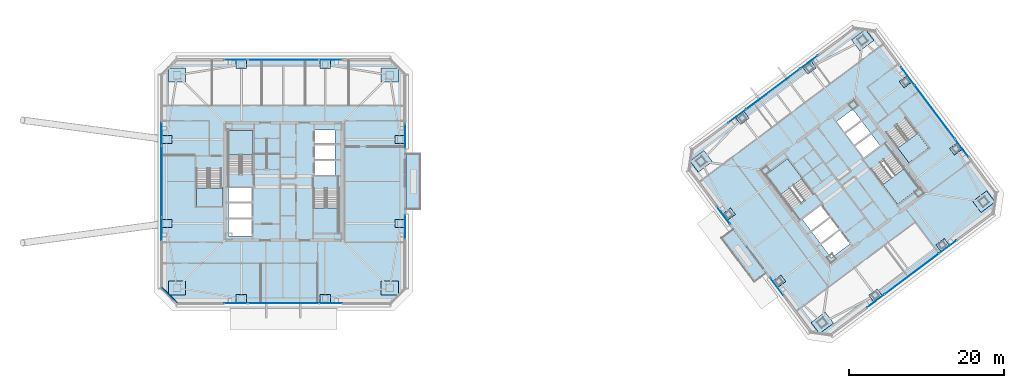
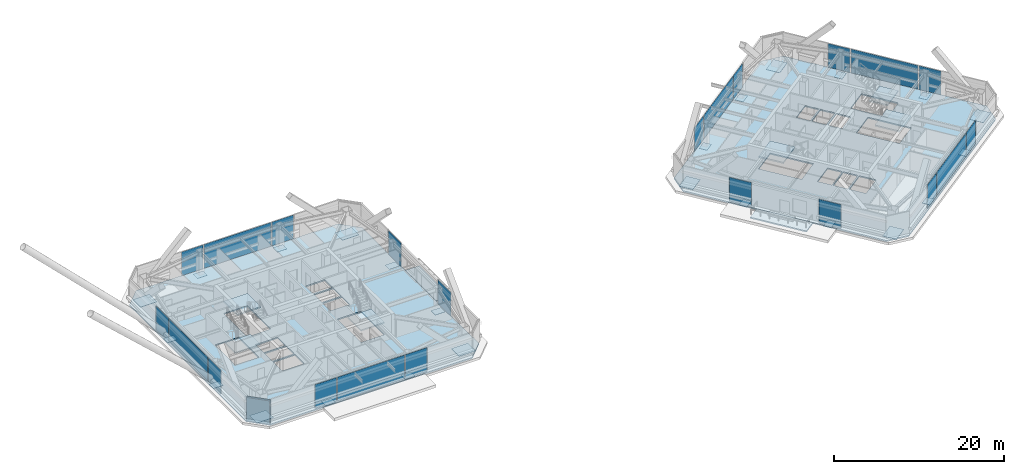
# One storey, part 29 of 39: 46 plates, 10 slabs, 1 wall, 28 elements without a shape of their own.
"""IFC4 building model written with IfcOpenShell, lengths in metres."""

from ifc_helpers import new_model, si_unit, direction, frame, frame_2d, origin, origin_2d, place, context, subcontext, project, spatial, polyline, rectangle, outline, extrude, material, layer, layer_set, type_object, element, aggregate, save


model = new_model("IFC4")

# Units and contexts
model_context = context("Model", 3, precision=1e-05, world=origin(), true_north=direction((0.0, 1.0)))
body_context = subcontext(model_context, "Body", "Model", "MODEL_VIEW")
ifc_project = project(units=[si_unit("LENGTHUNIT", "METRE"), si_unit("AREAUNIT", "SQUARE_METRE"), si_unit("VOLUMEUNIT", "CUBIC_METRE"), si_unit("PLANEANGLEUNIT", "RADIAN"), si_unit("MASSUNIT", "GRAM", prefix="KILO")], contexts=[model_context])

# Site, building, storey
site_placement = place(None, origin())
site = spatial("IfcSite", under=ifc_project, at=site_placement, CompositionType="ELEMENT")
building_placement = place(site_placement, origin())
building = spatial("IfcBuilding", under=site, at=building_placement, Name="Tashvorn Skyway Center", CompositionType="ELEMENT")
storey_placement = place(building_placement, frame((0.0, 0.0, 232.60009765625)))
storey = spatial("IfcBuildingStorey", under=building, at=storey_placement, Name="L63", CompositionType="ELEMENT", Elevation=232.60009765625)

# Curtain wall, plate
ifc_material_1 = material(Name="Thermally broken bronze-anodized aluminium 6063-T6", Category="aluminium")
curtain_wall_type = type_object("IfcCurtainWallType", Name="CW-CW-Z5", PredefinedType="NOTDEFINED", material=ifc_material_1)
curtain_wall_1_placement = place(storey_placement, origin())
curtain_wall_1 = element("IfcCurtainWall", 1, at=curtain_wall_1_placement, inside=storey, type_object=curtain_wall_type, Name="Tower 1 L63 South Unitised Curtain Wall Glazing Group 1", PredefinedType="NOTDEFINED")
ifc_material_2 = material(Name="Low-E solar-control double insulating safety glass", Category="glass")
ifc_layer_1 = layer(ifc_material_2, 0.031982421875)
ifc_layer_set_1 = layer_set([ifc_layer_1], Name="Low-E solar-control double insulating safety glass")
plate_type_1 = type_object("IfcPlateType", Name="CWP-CW-Z5", PredefinedType="CURTAIN_PANEL", material=ifc_layer_set_1)
plate_1_placement = place(storey_placement, frame((48.12451171875, 16.320068359375, 0.06982421875), z_axis=(0.0, 0.0, 1.0), x_axis=(-1.0, 0.0, 0.0)))
plate_1 = element("IfcPlate", 2, at=plate_1_placement, type_object=plate_type_1, Name="CW-Z5 panel 1.1", PredefinedType="CURTAIN_PANEL", context=body_context, shape_type="SweptSolid", body=[
    extrude(rectangle(XDim=2.92236328125, YDim=0.031982421875, at=origin_2d()), origin(), (0.0, 0.0, 1.0), 3.409912109375),
])
aggregate(curtain_wall_1, [plate_1])

curtain_wall_2_placement = place(storey_placement, origin())
curtain_wall_2 = element("IfcCurtainWall", 3, at=curtain_wall_2_placement, inside=storey, type_object=curtain_wall_type, Name="Tower 1 L63 South Unitised Curtain Wall Glazing Group 2", PredefinedType="NOTDEFINED")
plate_2_placement = place(storey_placement, frame((42.0, 16.320068359375, 0.06982421875), z_axis=(0.0, 0.0, 1.0), x_axis=(-1.0, 0.0, 0.0)))
plate_2 = element("IfcPlate", 4, at=plate_2_placement, type_object=plate_type_1, Name="CW-Z5 panel 1.1", PredefinedType="CURTAIN_PANEL", context=body_context, shape_type="SweptSolid", body=[
    extrude(rectangle(XDim=9.046630859375, YDim=0.031982421875, at=origin_2d()), origin(), (0.0, 0.0, 1.0), 3.409912109375),
])
aggregate(curtain_wall_2, [plate_2])

curtain_wall_3_placement = place(storey_placement, origin())
curtain_wall_3 = element("IfcCurtainWall", 5, at=curtain_wall_3_placement, inside=storey, type_object=curtain_wall_type, Name="Tower 1 L63 South Unitised Curtain Wall Glazing Group 3", PredefinedType="NOTDEFINED")
plate_3_placement = place(storey_placement, frame((35.87548828125, 16.320068359375, 0.06982421875), z_axis=(0.0, 0.0, 1.0), x_axis=(-1.0, 0.0, 0.0)))
plate_3 = element("IfcPlate", 6, at=plate_3_placement, type_object=plate_type_1, Name="CW-Z5 panel 1.1", PredefinedType="CURTAIN_PANEL", context=body_context, shape_type="SweptSolid", body=[
    extrude(rectangle(XDim=2.92236328125, YDim=0.031982421875, at=origin_2d()), origin(), (0.0, 0.0, 1.0), 3.409912109375),
])
aggregate(curtain_wall_3, [plate_3])

curtain_wall_4_placement = place(storey_placement, origin())
curtain_wall_4 = element("IfcCurtainWall", 7, at=curtain_wall_4_placement, inside=storey, type_object=curtain_wall_type, Name="Tower 1 L63 West Unitised Curtain Wall Glazing Group 1", PredefinedType="NOTDEFINED")
plate_4_placement = place(storey_placement, frame((26.320068359375, 25.87548828125, 0.06982421875), z_axis=(0.0, 0.0, 1.0), x_axis=(0.0, 1.0, 0.0)))
plate_4 = element("IfcPlate", 8, at=plate_4_placement, type_object=plate_type_1, Name="CW-Z5 panel 1.1", PredefinedType="CURTAIN_PANEL", context=body_context, shape_type="SweptSolid", body=[
    extrude(rectangle(XDim=2.92236328125, YDim=0.031982421875, at=origin_2d()), origin(), (0.0, 0.0, 1.0), 3.409912109375),
])
aggregate(curtain_wall_4, [plate_4])

curtain_wall_5_placement = place(storey_placement, origin())
curtain_wall_5 = element("IfcCurtainWall", 9, at=curtain_wall_5_placement, inside=storey, type_object=curtain_wall_type, Name="Tower 1 L63 West Unitised Curtain Wall Glazing Group 2", PredefinedType="NOTDEFINED")
plate_5_placement = place(storey_placement, frame((26.320068359375, 32.0, 0.06982421875), z_axis=(0.0, 0.0, 1.0), x_axis=(0.0, 1.0, 0.0)))
plate_5 = element("IfcPlate", 10, at=plate_5_placement, type_object=plate_type_1, Name="CW-Z5 panel 1.1", PredefinedType="CURTAIN_PANEL", context=body_context, shape_type="SweptSolid", body=[
    extrude(rectangle(XDim=9.046630859375, YDim=0.031982421875, at=origin_2d()), origin(), (0.0, 0.0, 1.0), 3.409912109375),
])
aggregate(curtain_wall_5, [plate_5])

curtain_wall_6_placement = place(storey_placement, origin())
curtain_wall_6 = element("IfcCurtainWall", 11, at=curtain_wall_6_placement, inside=storey, type_object=curtain_wall_type, Name="Tower 1 L63 West Unitised Curtain Wall Glazing Group 3", PredefinedType="NOTDEFINED")
plate_6_placement = place(storey_placement, frame((26.320068359375, 38.12451171875, 0.06982421875), z_axis=(0.0, 0.0, 1.0), x_axis=(0.0, 1.0, 0.0)))
plate_6 = element("IfcPlate", 12, at=plate_6_placement, type_object=plate_type_1, Name="CW-Z5 panel 1.1", PredefinedType="CURTAIN_PANEL", context=body_context, shape_type="SweptSolid", body=[
    extrude(rectangle(XDim=2.92236328125, YDim=0.031982421875, at=origin_2d()), origin(), (0.0, 0.0, 1.0), 3.409912109375),
])
aggregate(curtain_wall_6, [plate_6])

curtain_wall_7_placement = place(storey_placement, origin())
curtain_wall_7 = element("IfcCurtainWall", 13, at=curtain_wall_7_placement, inside=storey, type_object=curtain_wall_type, Name="Tower 1 L63 North Unitised Curtain Wall Glazing Group 1", PredefinedType="NOTDEFINED")
plate_7_placement = place(storey_placement, frame((35.87548828125, 47.679931640625, 0.06982421875), z_axis=(0.0, 0.0, 1.0), x_axis=(1.0, 0.0, 0.0)))
plate_7 = element("IfcPlate", 14, at=plate_7_placement, type_object=plate_type_1, Name="CW-Z5 panel 1.1", PredefinedType="CURTAIN_PANEL", context=body_context, shape_type="SweptSolid", body=[
    extrude(rectangle(XDim=2.92236328125, YDim=0.031982421875, at=origin_2d()), origin(), (0.0, 0.0, 1.0), 3.409912109375),
])
aggregate(curtain_wall_7, [plate_7])

curtain_wall_8_placement = place(storey_placement, origin())
curtain_wall_8 = element("IfcCurtainWall", 15, at=curtain_wall_8_placement, inside=storey, type_object=curtain_wall_type, Name="Tower 1 L63 North Unitised Curtain Wall Glazing Group 2", PredefinedType="NOTDEFINED")
plate_8_placement = place(storey_placement, frame((42.0, 47.679931640625, 0.06982421875), z_axis=(0.0, 0.0, 1.0), x_axis=(1.0, 0.0, 0.0)))
plate_8 = element("IfcPlate", 16, at=plate_8_placement, type_object=plate_type_1, Name="CW-Z5 panel 1.1", PredefinedType="CURTAIN_PANEL", context=body_context, shape_type="SweptSolid", body=[
    extrude(rectangle(XDim=9.046630859375, YDim=0.031982421875, at=origin_2d()), origin(), (0.0, 0.0, 1.0), 3.409912109375),
])
aggregate(curtain_wall_8, [plate_8])

curtain_wall_9_placement = place(storey_placement, origin())
curtain_wall_9 = element("IfcCurtainWall", 17, at=curtain_wall_9_placement, inside=storey, type_object=curtain_wall_type, Name="Tower 1 L63 North Unitised Curtain Wall Glazing Group 3", PredefinedType="NOTDEFINED")
plate_9_placement = place(storey_placement, frame((48.12451171875, 47.679931640625, 0.06982421875), z_axis=(0.0, 0.0, 1.0), x_axis=(1.0, 0.0, 0.0)))
plate_9 = element("IfcPlate", 18, at=plate_9_placement, type_object=plate_type_1, Name="CW-Z5 panel 1.1", PredefinedType="CURTAIN_PANEL", context=body_context, shape_type="SweptSolid", body=[
    extrude(rectangle(XDim=2.92236328125, YDim=0.031982421875, at=origin_2d()), origin(), (0.0, 0.0, 1.0), 3.409912109375),
])
aggregate(curtain_wall_9, [plate_9])

curtain_wall_10_placement = place(storey_placement, origin())
curtain_wall_10 = element("IfcCurtainWall", 19, at=curtain_wall_10_placement, inside=storey, type_object=curtain_wall_type, Name="Tower 1 L63 East Curtain Wall L Glazing Group 1", PredefinedType="NOTDEFINED")
plate_10_placement = place(storey_placement, frame((57.679931640625, 37.83837890625, 0.06982421875), z_axis=(0.0, 0.0, 1.0), x_axis=(0.0, -1.0, 0.0)))
plate_10 = element("IfcPlate", 20, at=plate_10_placement, type_object=plate_type_1, Name="CW-Z5 panel 1.1", PredefinedType="CURTAIN_PANEL", context=body_context, shape_type="SweptSolid", body=[
    extrude(rectangle(XDim=3.03662109375, YDim=0.031982421875, at=origin_2d()), origin(), (0.0, 0.0, 1.0), 3.409912109375),
])
aggregate(curtain_wall_10, [plate_10])

curtain_wall_11_placement = place(storey_placement, origin())
curtain_wall_11 = element("IfcCurtainWall", 21, at=curtain_wall_11_placement, inside=storey, type_object=curtain_wall_type, Name="Tower 1 L63 East Curtain Wall R Glazing Group 1", PredefinedType="NOTDEFINED")
plate_11_placement = place(storey_placement, frame((57.679931640625, 26.16162109375, 0.06982421875), z_axis=(0.0, 0.0, 1.0), x_axis=(0.0, -1.0, 0.0)))
plate_11 = element("IfcPlate", 22, at=plate_11_placement, type_object=plate_type_1, Name="CW-Z5 panel 1.1", PredefinedType="CURTAIN_PANEL", context=body_context, shape_type="SweptSolid", body=[
    extrude(rectangle(XDim=3.03662109375, YDim=0.031982421875, at=origin_2d()), origin(), (0.0, 0.0, 1.0), 3.409912109375),
])
aggregate(curtain_wall_11, [plate_11])

curtain_wall_12_placement = place(storey_placement, origin())
curtain_wall_12 = element("IfcCurtainWall", 23, at=curtain_wall_12_placement, inside=storey, type_object=curtain_wall_type, Name="Tower 2 L63 South Unitised Curtain Wall Glazing Group 1", PredefinedType="NOTDEFINED")
plate_12_placement = place(storey_placement, frame((127.57861328125, 23.583984375, 0.06982421875), z_axis=(0.0, 0.0, 1.0), x_axis=(-0.799995871508, -0.600005504617, 0.0)))
plate_12 = element("IfcPlate", 24, at=plate_12_placement, type_object=plate_type_1, Name="CW-Z5 panel 1.1", PredefinedType="CURTAIN_PANEL", context=body_context, shape_type="SweptSolid", body=[
    extrude(rectangle(XDim=2.7666015625, YDim=0.031982421875, at=origin_2d()), origin(), (0.0, 0.0, 1.0), 3.409912109375),
])
aggregate(curtain_wall_12, [plate_12])

curtain_wall_13_placement = place(storey_placement, origin())
curtain_wall_13 = element("IfcCurtainWall", 25, at=curtain_wall_13_placement, inside=storey, type_object=curtain_wall_type, Name="Tower 2 L63 South Unitised Curtain Wall Glazing Group 2", PredefinedType="NOTDEFINED")
plate_13_placement = place(storey_placement, frame((122.927978515625, 20.095947265625, 0.06982421875), z_axis=(0.0, 0.0, 1.0), x_axis=(-0.799999999998, -0.600000000002, 0.0)))
plate_13 = element("IfcPlate", 26, at=plate_13_placement, type_object=plate_type_1, Name="CW-Z5 panel 1.1", PredefinedType="CURTAIN_PANEL", context=body_context, shape_type="SweptSolid", body=[
    extrude(rectangle(XDim=8.580078125, YDim=0.031982421875, at=origin_2d()), origin(), (0.0, 0.0, 1.0), 3.409912109375),
])
aggregate(curtain_wall_13, [plate_13])

curtain_wall_14_placement = place(storey_placement, origin())
curtain_wall_14 = element("IfcCurtainWall", 27, at=curtain_wall_14_placement, inside=storey, type_object=curtain_wall_type, Name="Tower 2 L63 South Unitised Curtain Wall Glazing Group 3", PredefinedType="NOTDEFINED")
plate_14_placement = place(storey_placement, frame((118.27734375, 16.60791015625, 0.06982421875), z_axis=(0.0, 0.0, 1.0), x_axis=(-0.799995871508, -0.600005504617, 0.0)))
plate_14 = element("IfcPlate", 28, at=plate_14_placement, type_object=plate_type_1, Name="CW-Z5 panel 1.1", PredefinedType="CURTAIN_PANEL", context=body_context, shape_type="SweptSolid", body=[
    extrude(rectangle(XDim=2.7666015625, YDim=0.031982421875, at=origin_2d()), origin(), (0.0, 0.0, 1.0), 3.409912109375),
])
aggregate(curtain_wall_14, [plate_14])

curtain_wall_15_placement = place(storey_placement, origin())
curtain_wall_15 = element("IfcCurtainWall", 29, at=curtain_wall_15_placement, inside=storey, type_object=curtain_wall_type, Name="Tower 2 L63 West Curtain Wall L Glazing Group 1", PredefinedType="NOTDEFINED")
plate_15_placement = place(storey_placement, frame((105.529052734375, 18.49462890625, 0.06982421875), z_axis=(0.0, 0.0, 1.0), x_axis=(-0.599994564028, 0.80000407695, 0.0)))
plate_15 = element("IfcPlate", 30, at=plate_15_placement, type_object=plate_type_1, Name="CW-Z5 panel 1.1", PredefinedType="CURTAIN_PANEL", context=body_context, shape_type="SweptSolid", body=[
    extrude(rectangle(XDim=2.803466796875, YDim=0.031982421875, at=origin_2d()), origin(), (0.0, 0.0, 1.0), 3.409912109375),
])
aggregate(curtain_wall_15, [plate_15])

curtain_wall_16_placement = place(storey_placement, origin())
curtain_wall_16 = element("IfcCurtainWall", 31, at=curtain_wall_16_placement, inside=storey, type_object=curtain_wall_type, Name="Tower 2 L63 West Curtain Wall R Glazing Group 1", PredefinedType="NOTDEFINED")
plate_16_placement = place(storey_placement, frame((98.6630859375, 27.6494140625, 0.06982421875), z_axis=(0.0, 0.0, 1.0), x_axis=(-0.599994564028, 0.80000407695, 0.0)))
plate_16 = element("IfcPlate", 32, at=plate_16_placement, type_object=plate_type_1, Name="CW-Z5 panel 1.1", PredefinedType="CURTAIN_PANEL", context=body_context, shape_type="SweptSolid", body=[
    extrude(rectangle(XDim=2.803466796875, YDim=0.031982421875, at=origin_2d()), origin(), (0.0, 0.0, 1.0), 3.409912109375),
])
aggregate(curtain_wall_16, [plate_16])

curtain_wall_17_placement = place(storey_placement, origin())
curtain_wall_17 = element("IfcCurtainWall", 33, at=curtain_wall_17_placement, inside=storey, type_object=curtain_wall_type, Name="Tower 2 L63 North Unitised Curtain Wall Glazing Group 1", PredefinedType="NOTDEFINED")
plate_17_placement = place(storey_placement, frame((100.42138671875, 40.416015625, 0.06982421875), z_axis=(0.0, 0.0, 1.0), x_axis=(0.799995871508, 0.600005504617, 0.0)))
plate_17 = element("IfcPlate", 34, at=plate_17_placement, type_object=plate_type_1, Name="CW-Z5 panel 1.1", PredefinedType="CURTAIN_PANEL", context=body_context, shape_type="SweptSolid", body=[
    extrude(rectangle(XDim=2.7666015625, YDim=0.031982421875, at=origin_2d()), origin(), (0.0, 0.0, 1.0), 3.409912109375),
])
aggregate(curtain_wall_17, [plate_17])

curtain_wall_18_placement = place(storey_placement, origin())
curtain_wall_18 = element("IfcCurtainWall", 35, at=curtain_wall_18_placement, inside=storey, type_object=curtain_wall_type, Name="Tower 2 L63 North Unitised Curtain Wall Glazing Group 2", PredefinedType="NOTDEFINED")
plate_18_placement = place(storey_placement, frame((105.072021484375, 43.904052734375, 0.06982421875), z_axis=(0.0, 0.0, 1.0), x_axis=(0.799999999998, 0.600000000002, 0.0)))
plate_18 = element("IfcPlate", 36, at=plate_18_placement, type_object=plate_type_1, Name="CW-Z5 panel 1.1", PredefinedType="CURTAIN_PANEL", context=body_context, shape_type="SweptSolid", body=[
    extrude(rectangle(XDim=8.580078125, YDim=0.031982421875, at=origin_2d()), origin(), (0.0, 0.0, 1.0), 3.409912109375),
])
aggregate(curtain_wall_18, [plate_18])

curtain_wall_19_placement = place(storey_placement, origin())
curtain_wall_19 = element("IfcCurtainWall", 37, at=curtain_wall_19_placement, inside=storey, type_object=curtain_wall_type, Name="Tower 2 L63 North Unitised Curtain Wall Glazing Group 3", PredefinedType="NOTDEFINED")
plate_19_placement = place(storey_placement, frame((109.72265625, 47.39208984375, 0.06982421875), z_axis=(0.0, 0.0, 1.0), x_axis=(0.799995871508, 0.600005504617, 0.0)))
plate_19 = element("IfcPlate", 38, at=plate_19_placement, type_object=plate_type_1, Name="CW-Z5 panel 1.1", PredefinedType="CURTAIN_PANEL", context=body_context, shape_type="SweptSolid", body=[
    extrude(rectangle(XDim=2.7666015625, YDim=0.031982421875, at=origin_2d()), origin(), (0.0, 0.0, 1.0), 3.409912109375),
])
aggregate(curtain_wall_19, [plate_19])

curtain_wall_20_placement = place(storey_placement, origin())
curtain_wall_20 = element("IfcCurtainWall", 39, at=curtain_wall_20_placement, inside=storey, type_object=curtain_wall_type, Name="Tower 2 L63 East Unitised Curtain Wall Glazing Group 1", PredefinedType="NOTDEFINED")
plate_20_placement = place(storey_placement, frame((122.416015625, 45.57861328125, 0.06982421875), z_axis=(0.0, 0.0, 1.0), x_axis=(0.600005504617, -0.799995871508, 0.0)))
plate_20 = element("IfcPlate", 40, at=plate_20_placement, type_object=plate_type_1, Name="CW-Z5 panel 1.1", PredefinedType="CURTAIN_PANEL", context=body_context, shape_type="SweptSolid", body=[
    extrude(rectangle(XDim=2.7666015625, YDim=0.031982421875, at=origin_2d()), origin(), (0.0, 0.0, 1.0), 3.409912109375),
])
aggregate(curtain_wall_20, [plate_20])

curtain_wall_21_placement = place(storey_placement, origin())
curtain_wall_21 = element("IfcCurtainWall", 41, at=curtain_wall_21_placement, inside=storey, type_object=curtain_wall_type, Name="Tower 2 L63 East Unitised Curtain Wall Glazing Group 2", PredefinedType="NOTDEFINED")
plate_21_placement = place(storey_placement, frame((125.904052734375, 40.927978515625, 0.06982421875), z_axis=(0.0, 0.0, 1.0), x_axis=(0.600000000002, -0.799999999998, 0.0)))
plate_21 = element("IfcPlate", 42, at=plate_21_placement, type_object=plate_type_1, Name="CW-Z5 panel 1.1", PredefinedType="CURTAIN_PANEL", context=body_context, shape_type="SweptSolid", body=[
    extrude(rectangle(XDim=8.580078125, YDim=0.031982421875, at=origin_2d()), origin(), (0.0, 0.0, 1.0), 3.409912109375),
])
aggregate(curtain_wall_21, [plate_21])

curtain_wall_22_placement = place(storey_placement, origin())
curtain_wall_22 = element("IfcCurtainWall", 43, at=curtain_wall_22_placement, inside=storey, type_object=curtain_wall_type, Name="Tower 2 L63 East Unitised Curtain Wall Glazing Group 3", PredefinedType="NOTDEFINED")
plate_22_placement = place(storey_placement, frame((129.39208984375, 36.27734375, 0.06982421875), z_axis=(0.0, 0.0, 1.0), x_axis=(0.600005504617, -0.799995871508, 0.0)))
plate_22 = element("IfcPlate", 44, at=plate_22_placement, type_object=plate_type_1, Name="CW-Z5 panel 1.1", PredefinedType="CURTAIN_PANEL", context=body_context, shape_type="SweptSolid", body=[
    extrude(rectangle(XDim=2.7666015625, YDim=0.031982421875, at=origin_2d()), origin(), (0.0, 0.0, 1.0), 3.409912109375),
])
aggregate(curtain_wall_22, [plate_22])

# Plates
ifc_material_3 = material(Name="Steel ASTM A572 Grade 50", Category="steel")
ifc_layer_2 = layer(ifc_material_3, 0.050048828125)
ifc_layer_set_2 = layer_set([ifc_layer_2], Name="Steel ASTM A572 Grade 50")
plate_type_2 = type_object("IfcPlateType", Name="PLT-ENDCAP-1650", PredefinedType="USERDEFINED", material=ifc_layer_set_2)
for number, where, z_axis, x_axis, name in (
    (45, (28.300048828125, 18.300048828125, -0.21533203125), (0.0, 0.0, 1.0), (1.0, 0.0, 0.0), "Tower 1 L63 MC-SW Setback Base End Plate"),
    (46, (55.699951171875, 18.300048828125, -0.21533203125), (0.0, 0.0, 1.0), (1.0, 0.0, 0.0), "Tower 1 L63 MC-SE Setback Base End Plate"),
    (47, (55.699951171875, 45.699951171875, -0.21533203125), (0.0, 0.0, 1.0), (1.0, 0.0, 0.0), "Tower 1 L63 MC-NE Setback Base End Plate"),
    (48, (28.300048828125, 45.699951171875, -0.21533203125), (0.0, 0.0, 1.0), (1.0, 0.0, 0.0), "Tower 1 L63 MC-NW Setback Base End Plate"),
    (49, (111.39990234375, 13.800048828125, -0.21533203125), (0.0, 0.0, 1.0), (0.799999996291, 0.600000004945, 0.0), "Tower 2 L63 MC-SW Setback Base End Plate"),
    (50, (132.199951171875, 29.39990234375, -0.21533203125), (0.0, 0.0, 1.0), (0.799999996291, 0.600000004945, 0.0), "Tower 2 L63 MC-SE Setback Base End Plate"),
    (51, (116.60009765625, 50.199951171875, -0.21533203125), (0.0, 0.0, 1.0), (0.799999996291, 0.600000004945, 0.0), "Tower 2 L63 MC-NE Setback Base End Plate"),
    (52, (95.800048828125, 34.60009765625, -0.21533203125), (0.0, 0.0, 1.0), (0.799999996291, 0.600000004945, 0.0), "Tower 2 L63 MC-NW Setback Base End Plate"),
):
    element("IfcPlate", number, at=place(storey_placement, frame(where, z_axis=z_axis, x_axis=x_axis)), inside=storey, type_object=plate_type_2, Name=name, ObjectType="END PLATE", PredefinedType="USERDEFINED", context=body_context, shape_type="SweptSolid", body=[
        extrude(rectangle(XDim=2.25, YDim=1.780029296875, at=origin_2d()), origin(), (0.0, 0.0, 1.0), 0.050048828125),
    ])
ifc_layer_3 = layer(ifc_material_3, 0.050048828125)
ifc_layer_set_3 = layer_set([ifc_layer_3], Name="Steel ASTM A572 Grade 50")
plate_type_3 = type_object("IfcPlateType", Name="PLT-ENDCAP-900", PredefinedType="USERDEFINED", material=ifc_layer_set_3)
for number, where, z_axis, x_axis, name in (
    (53, (36.60009765625, 16.949951171875, -0.21533203125), (0.0, 0.0, 1.0), (1.0, 0.0, 0.0), "Tower 1 L63 FC-S1 Setback Base End Plate"),
    (54, (47.39990234375, 16.949951171875, -0.21533203125), (0.0, 0.0, 1.0), (1.0, 0.0, 0.0), "Tower 1 L63 FC-S2 Setback Base End Plate"),
    (55, (57.050048828125, 26.60009765625, -0.21533203125), (0.0, 0.0, 1.0), (1.0, 0.0, 0.0), "Tower 1 L63 FC-E1 Setback Base End Plate"),
    (56, (57.050048828125, 37.39990234375, -0.21533203125), (0.0, 0.0, 1.0), (1.0, 0.0, 0.0), "Tower 1 L63 FC-E2 Setback Base End Plate"),
    (57, (47.39990234375, 47.050048828125, -0.21533203125), (0.0, 0.0, 1.0), (1.0, 0.0, 0.0), "Tower 1 L63 FC-N1 Setback Base End Plate"),
    (58, (36.60009765625, 47.050048828125, -0.21533203125), (0.0, 0.0, 1.0), (1.0, 0.0, 0.0), "Tower 1 L63 FC-N2 Setback Base End Plate"),
    (59, (26.949951171875, 37.39990234375, -0.21533203125), (0.0, 0.0, 1.0), (1.0, 0.0, 0.0), "Tower 1 L63 FC-W1 Setback Base End Plate"),
    (60, (26.949951171875, 26.60009765625, -0.21533203125), (0.0, 0.0, 1.0), (1.0, 0.0, 0.0), "Tower 1 L63 FC-W2 Setback Base End Plate"),
    (61, (118.22998046875, 17.360107421875, -0.21533203125), (0.0, 0.0, 1.0), (0.799999996291, 0.600000004945, 0.0), "Tower 2 L63 FC-S1 Setback Base End Plate"),
    (62, (126.8701171875, 23.840087890625, -0.21533203125), (0.0, 0.0, 1.0), (0.799999996291, 0.600000004945, 0.0), "Tower 2 L63 FC-S2 Setback Base End Plate"),
    (63, (128.639892578125, 36.22998046875, -0.21533203125), (0.0, 0.0, 1.0), (0.799999996291, 0.600000004945, 0.0), "Tower 2 L63 FC-E1 Setback Base End Plate"),
    (64, (122.159912109375, 44.8701171875, -0.21533203125), (0.0, 0.0, 1.0), (0.799999996291, 0.600000004945, 0.0), "Tower 2 L63 FC-E2 Setback Base End Plate"),
    (65, (109.77001953125, 46.639892578125, -0.21533203125), (0.0, 0.0, 1.0), (0.799999996291, 0.600000004945, 0.0), "Tower 2 L63 FC-N1 Setback Base End Plate"),
    (66, (101.1298828125, 40.159912109375, -0.21533203125), (0.0, 0.0, 1.0), (0.799999996291, 0.600000004945, 0.0), "Tower 2 L63 FC-N2 Setback Base End Plate"),
    (67, (99.360107421875, 27.77001953125, -0.21533203125), (0.0, 0.0, 1.0), (0.799999996291, 0.600000004945, 0.0), "Tower 2 L63 FC-W1 Setback Base End Plate"),
    (68, (105.840087890625, 19.1298828125, -0.21533203125), (0.0, 0.0, 1.0), (0.799999996291, 0.600000004945, 0.0), "Tower 2 L63 FC-W2 Setback Base End Plate"),
):
    element("IfcPlate", number, at=place(storey_placement, frame(where, z_axis=z_axis, x_axis=x_axis)), inside=storey, type_object=plate_type_3, Name=name, ObjectType="END PLATE", PredefinedType="USERDEFINED", context=body_context, shape_type="SweptSolid", body=[
        extrude(rectangle(XDim=1.35009765625, YDim=1.050048828125, at=origin_2d()), origin(), (0.0, 0.0, 1.0), 0.050048828125),
    ])

# Slabs
ifc_material_4 = material(Name="Concrete C40/50", Category="concrete")
ifc_layer_4 = layer(ifc_material_4, 0.179931640625)
ifc_layer_set_4 = layer_set([ifc_layer_4], Name="Concrete C40/50")
slab_type_1 = type_object("IfcSlabType", Name="SLAB-FLR-180", PredefinedType="FLOOR", material=ifc_layer_set_4)
slab_1_placement = place(storey_placement, frame((0.0, 0.0, -0.18017578125)))
element("IfcSlab", 69, at=slab_1_placement, inside=storey, type_object=slab_type_1, Name="Tower 1 L63 Composite Floor Slab", PredefinedType="FLOOR", context=body_context, shape_type="SweptSolid", body=[
    extrude(outline(polyline([(28.300048828125, 16.199951171875), (55.699951171875, 16.199951171875), (57.800048828125, 18.300048828125), (57.800048828125, 45.699951171875), (55.699951171875, 47.800048828125), (28.300048828125, 47.800048828125), (26.199951171875, 45.699951171875), (26.199951171875, 18.300048828125), (28.300048828125, 16.199951171875)]), holes=[polyline([(38.10009765625, 33.080078125), (38.10009765625, 38.60009765625), (34.89990234375, 38.60009765625), (34.89990234375, 33.080078125), (38.10009765625, 33.080078125)]), polyline([(45.89990234375, 30.919921875), (45.89990234375, 25.39990234375), (49.10009765625, 25.39990234375), (49.10009765625, 30.919921875), (45.89990234375, 30.919921875)]), polyline([(30.800048828125, 33.52001953125), (30.800048828125, 28.800048828125), (34.0, 28.800048828125), (34.0, 33.52001953125), (30.800048828125, 33.52001953125)]), polyline([(34.949951171875, 29.35009765625), (37.949951171875, 29.35009765625), (37.949951171875, 31.199951171875), (34.949951171875, 31.199951171875), (34.949951171875, 29.35009765625)]), polyline([(34.949951171875, 27.35009765625), (37.949951171875, 27.35009765625), (37.949951171875, 29.199951171875), (34.949951171875, 29.199951171875), (34.949951171875, 27.35009765625)]), polyline([(34.949951171875, 25.0), (37.949951171875, 25.0), (37.949951171875, 27.14990234375), (34.949951171875, 27.14990234375), (34.949951171875, 25.0)]), polyline([(46.050048828125, 32.800048828125), (48.64990234375, 32.800048828125), (48.64990234375, 34.64990234375), (46.050048828125, 34.64990234375), (46.050048828125, 32.800048828125)]), polyline([(46.050048828125, 34.85009765625), (48.64990234375, 34.85009765625), (48.64990234375, 36.699951171875), (46.050048828125, 36.699951171875), (46.050048828125, 34.85009765625)]), polyline([(46.050048828125, 36.89990234375), (48.64990234375, 36.89990234375), (48.64990234375, 38.64990234375), (46.050048828125, 38.64990234375), (46.050048828125, 36.89990234375)])]), origin(), (0.0, 0.0, 1.0), 0.18017578125),
])
slab_2_placement = place(storey_placement, frame((0.0, 0.0, -0.18017578125)))
element("IfcSlab", 70, at=slab_2_placement, inside=storey, type_object=slab_type_1, Name="Tower 2 L63 Composite Floor Slab", PredefinedType="FLOOR", context=body_context, shape_type="SweptSolid", body=[
    extrude(outline(polyline([(112.60009765625, 12.199951171875), (133.39990234375, 27.800048828125), (133.800048828125, 30.60009765625), (118.199951171875, 51.39990234375), (115.39990234375, 51.800048828125), (94.60009765625, 36.199951171875), (94.199951171875, 33.39990234375), (109.800048828125, 12.60009765625), (112.60009765625, 12.199951171875)]), holes=[polyline([(110.23193359375, 30.52392578125), (106.919921875, 34.93994140625), (104.135986328125, 32.85205078125), (107.447998046875, 28.43603515625), (110.23193359375, 30.52392578125)]), polyline([(117.76806640625, 33.47607421875), (121.080078125, 29.06005859375), (123.864013671875, 31.14794921875), (120.552001953125, 35.56396484375), (117.76806640625, 33.47607421875)]), polyline([(119.7119140625, 38.18408203125), (122.5439453125, 34.407958984375), (125.10400390625, 36.327880859375), (122.27197265625, 40.10400390625), (119.7119140625, 38.18408203125)]), polyline([(109.949951171875, 25.64990234375), (112.35009765625, 27.449951171875), (111.239990234375, 28.929931640625), (108.840087890625, 27.1298828125), (109.949951171875, 25.64990234375)]), polyline([(111.14990234375, 24.050048828125), (113.550048828125, 25.85009765625), (112.43994140625, 27.330078125), (110.0400390625, 25.530029296875), (111.14990234375, 24.050048828125)]), polyline([(112.56005859375, 22.169921875), (114.9599609375, 23.969970703125), (113.669921875, 25.68994140625), (111.27001953125, 23.889892578125), (112.56005859375, 22.169921875)]), polyline([(116.760009765625, 35.070068359375), (118.840087890625, 36.6298828125), (117.72998046875, 38.110107421875), (115.64990234375, 36.550048828125), (116.760009765625, 35.070068359375)]), polyline([(115.530029296875, 36.7099609375), (117.610107421875, 38.27001953125), (116.5, 39.75), (114.419921875, 38.18994140625), (115.530029296875, 36.7099609375)]), polyline([(114.300048828125, 38.35009765625), (116.3798828125, 39.909912109375), (115.330078125, 41.31005859375), (113.25, 39.75), (114.300048828125, 38.35009765625)])]), origin(), (0.0, 0.0, 1.0), 0.18017578125),
])

# Stair, slab
stair_type = type_object("IfcStairType", Name="STAIR-CORE-1500", PredefinedType="HALF_TURN_STAIR", material=ifc_material_4)
stair_1_placement = place(storey_placement, origin())
stair_1 = element("IfcStair", 71, at=stair_1_placement, inside=storey, type_object=stair_type, Name="L63 Tower 1 Exit Stair 1", PredefinedType="HALF_TURN_STAIR")
ifc_layer_5 = layer(ifc_material_4, 0.199951171875)
ifc_layer_set_5 = layer_set([ifc_layer_5], Name="Concrete C40/50")
slab_type_2 = type_object("IfcSlabType", Name="SLAB-LAND-200", PredefinedType="LANDING", material=ifc_layer_set_5)
slab_3_placement = place(storey_placement, frame((0.0, 0.0, 1.574951171875)))
slab_3 = element("IfcSlab", 72, at=slab_3_placement, type_object=slab_type_2, Name="ST-T1-1 landing 1", PredefinedType="LANDING", context=body_context, shape_type="SweptSolid", body=[
    extrude(outline(polyline([(38.10009765625, 35.43994140625), (38.10009765625, 38.60009765625), (34.89990234375, 38.60009765625), (34.89990234375, 35.43994140625), (38.10009765625, 35.43994140625)])), origin(), (0.0, 0.0, 1.0), 0.199951171875),
])
aggregate(stair_1, [slab_3])

stair_2_placement = place(storey_placement, origin())
stair_2 = element("IfcStair", 73, at=stair_2_placement, inside=storey, type_object=stair_type, Name="L63 Tower 1 Exit Stair 2", PredefinedType="HALF_TURN_STAIR")
slab_4_placement = place(storey_placement, frame((0.0, 0.0, 1.574951171875)))
slab_4 = element("IfcSlab", 74, at=slab_4_placement, type_object=slab_type_2, Name="ST-T1-2 landing 1", PredefinedType="LANDING", context=body_context, shape_type="SweptSolid", body=[
    extrude(outline(polyline([(45.89990234375, 28.56005859375), (45.89990234375, 25.39990234375), (49.10009765625, 25.39990234375), (49.10009765625, 28.56005859375), (45.89990234375, 28.56005859375)])), origin(), (0.0, 0.0, 1.0), 0.199951171875),
])
aggregate(stair_2, [slab_4])

stair_3_placement = place(storey_placement, origin())
stair_3 = element("IfcStair", 75, at=stair_3_placement, inside=storey, type_object=stair_type, Name="L63 Tower 2 Exit Stair 1", PredefinedType="HALF_TURN_STAIR")
slab_5_placement = place(storey_placement, frame((0.0, 0.0, 1.574951171875)))
slab_5 = element("IfcSlab", 76, at=slab_5_placement, type_object=slab_type_2, Name="ST-T2-1 landing 1", PredefinedType="LANDING", context=body_context, shape_type="SweptSolid", body=[
    extrude(outline(polyline([(108.82080078125, 32.405517578125), (106.919921875, 34.93994140625), (104.135986328125, 32.85205078125), (106.036865234375, 30.317626953125), (108.82080078125, 32.405517578125)])), origin(), (0.0, 0.0, 1.0), 0.199951171875),
])
aggregate(stair_3, [slab_5])

stair_4_placement = place(storey_placement, origin())
stair_4 = element("IfcStair", 77, at=stair_4_placement, inside=storey, type_object=stair_type, Name="L63 Tower 2 Exit Stair 2", PredefinedType="HALF_TURN_STAIR")
slab_6_placement = place(storey_placement, frame((0.0, 0.0, 1.574951171875)))
slab_6 = element("IfcSlab", 78, at=slab_6_placement, type_object=slab_type_2, Name="ST-T2-2 landing 1", PredefinedType="LANDING", context=body_context, shape_type="SweptSolid", body=[
    extrude(outline(polyline([(119.17919921875, 31.594482421875), (121.080078125, 29.06005859375), (123.864013671875, 31.14794921875), (121.963134765625, 33.682373046875), (119.17919921875, 31.594482421875)])), origin(), (0.0, 0.0, 1.0), 0.199951171875),
])
aggregate(stair_4, [slab_6])

stair_5_placement = place(storey_placement, origin())
stair_5 = element("IfcStair", 79, at=stair_5_placement, inside=storey, type_object=stair_type, Name="L63 Tower 1 Exit Stair 3", PredefinedType="HALF_TURN_STAIR")
slab_7_placement = place(storey_placement, frame((0.0, 0.0, 1.574951171875)))
slab_7 = element("IfcSlab", 80, at=slab_7_placement, type_object=slab_type_2, Name="ST-T1-3 landing 1", PredefinedType="LANDING", context=body_context, shape_type="SweptSolid", body=[
    extrude(outline(polyline([(30.800048828125, 31.159912109375), (30.800048828125, 28.800048828125), (34.199951171875, 28.800048828125), (34.199951171875, 31.159912109375), (30.800048828125, 31.159912109375)])), origin(), (0.0, 0.0, 1.0), 0.199951171875),
])
aggregate(stair_5, [slab_7])

stair_6_placement = place(storey_placement, origin())
stair_6 = element("IfcStair", 81, at=stair_6_placement, inside=storey, type_object=stair_type, Name="L63 Tower 2 Exit Stair 3", PredefinedType="HALF_TURN_STAIR")
slab_8_placement = place(storey_placement, frame((0.0, 0.0, 1.574951171875)))
slab_8 = element("IfcSlab", 82, at=slab_8_placement, type_object=slab_type_2, Name="ST-T2-3 landing 1", PredefinedType="LANDING", context=body_context, shape_type="SweptSolid", body=[
    extrude(outline(polyline([(121.123291015625, 36.302490234375), (122.5439453125, 34.407958984375), (125.10400390625, 36.327880859375), (123.68310546875, 38.222412109375), (121.123291015625, 36.302490234375)])), origin(), (0.0, 0.0, 1.0), 0.199951171875),
])
aggregate(stair_6, [slab_8])

# Slabs
ifc_layer_6 = layer(ifc_material_4, 0.179931640625)
ifc_layer_set_6 = layer_set([ifc_layer_6], Name="Concrete C40/50")
slab_type_3 = type_object("IfcSlabType", Name="SLAB-TERR-200", PredefinedType="FLOOR", material=ifc_layer_set_6)
slab_9_placement = place(storey_placement, frame((0.0, 0.0, -0.18017578125)))
element("IfcSlab", 83, at=slab_9_placement, inside=storey, type_object=slab_type_3, Name="Tower 1 L63 Spiral Planted Terrace Slab", PredefinedType="FLOOR", context=body_context, shape_type="SweptSolid", body=[
    extrude(outline(polyline([(57.7900390625, 28.39990234375), (59.699951171875, 28.39990234375), (59.699951171875, 35.60009765625), (57.7900390625, 35.60009765625), (57.7900390625, 28.39990234375)])), origin(), (0.0, 0.0, 1.0), 0.18017578125),
])
slab_10_placement = place(storey_placement, frame((0.0, 0.0, -0.18017578125)))
element("IfcSlab", 84, at=slab_10_placement, inside=storey, type_object=slab_type_3, Name="Tower 2 L63 Spiral Planted Terrace Slab", PredefinedType="FLOOR", context=body_context, shape_type="SweptSolid", body=[
    extrude(outline(polyline([(102.639892578125, 18.97998046875), (104.16796875, 20.1259765625), (99.847900390625, 25.885986328125), (98.320068359375, 24.739990234375), (102.639892578125, 18.97998046875)])), origin(), (0.0, 0.0, 1.0), 0.18017578125),
])

# Wall
ifc_material_5 = material(Name="Precast concrete C40/50", Category="concrete")
ifc_layer_7 = layer(ifc_material_5, 0.280029296875)
ifc_layer_set_7 = layer_set([ifc_layer_7], Name="Precast concrete C40/50")
wall_type = type_object("IfcWallType", Name="WALL-EXT-280", PredefinedType="SOLIDWALL", material=ifc_layer_set_7)
wall_placement = place(storey_placement, frame((28.300048828125, 16.300048828125, 0.0), z_axis=(0.0, 0.0, 1.0), x_axis=(-0.707106781187, 0.707106781187, 0.0)))
element("IfcWall", 85, at=wall_placement, inside=storey, type_object=wall_type, Name="Tower 1 L63 SW Precast Chamfer Wall", PredefinedType="SOLIDWALL", context=body_context, shape_type="SweptSolid", body=[
    extrude(rectangle(XDim=2.828369140625, YDim=0.280029296875, at=frame_2d((1.4140625, 0.0))), origin(), (0.0, 0.0, 1.0), 3.369873046875),
])

save(model, "model.ifc")
